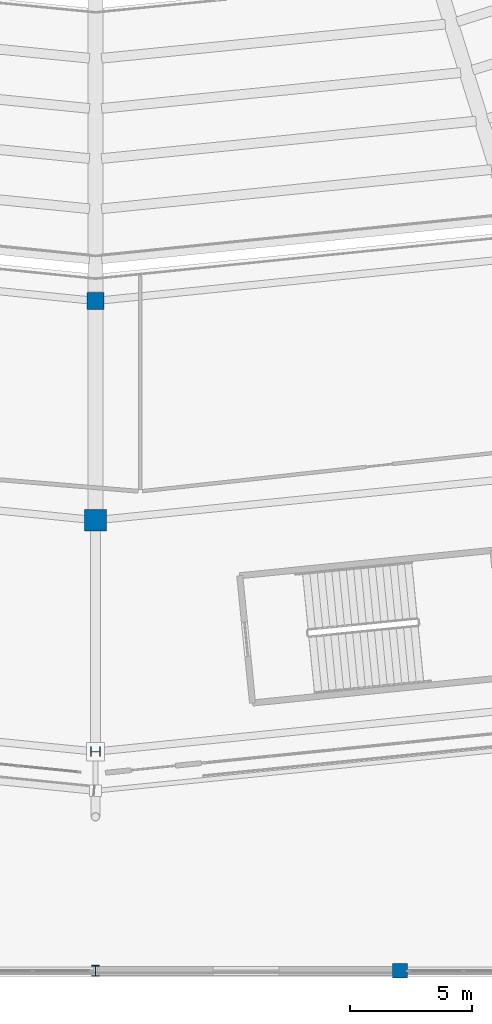
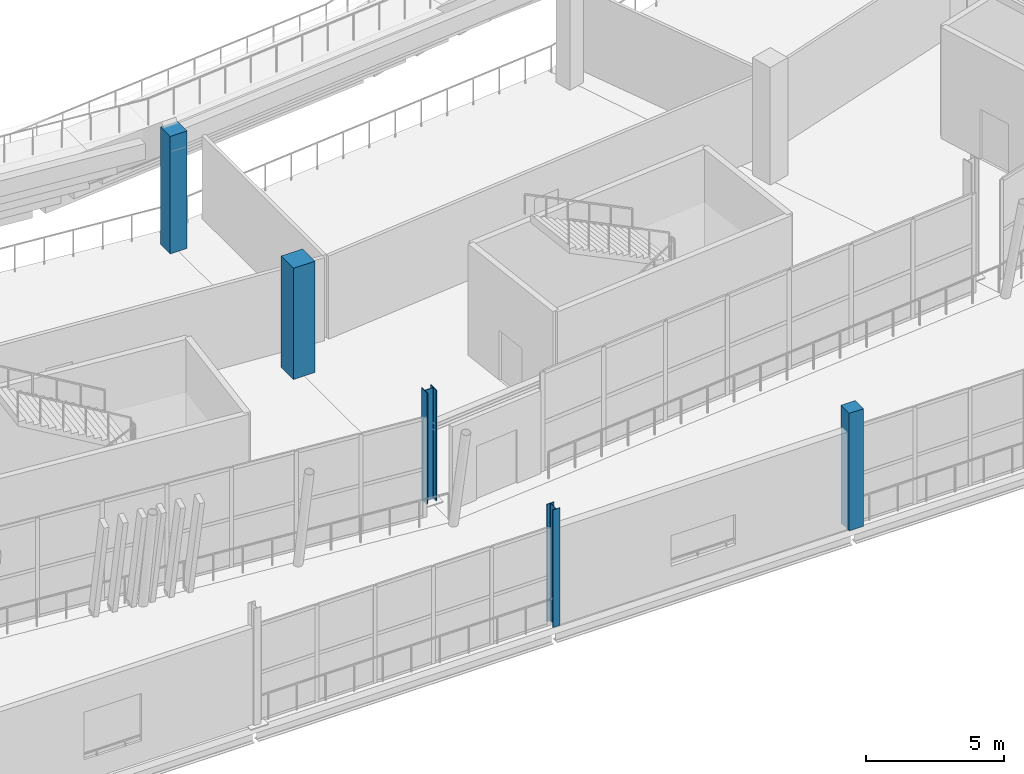
# One storey, part 5 of 178: 5 columns.
"""IFC4 building model written with IfcOpenShell, lengths in metres."""

from ifc_helpers import new_model, si_unit, direction, frame, origin, origin_2d, place, context, subcontext, project, spatial, rectangle, i_section, extrude, material, material_profile, profile_set, type_object, element, save


model = new_model("IFC4")

# Units and contexts
model_context = context("Model", 3, precision=1e-05, world=origin(), true_north=direction((0.0, 1.0)))
body_context = subcontext(model_context, "Body", "Model", "MODEL_VIEW")
ifc_project = project(units=[si_unit("LENGTHUNIT", "METRE"), si_unit("AREAUNIT", "SQUARE_METRE"), si_unit("VOLUMEUNIT", "CUBIC_METRE"), si_unit("PLANEANGLEUNIT", "RADIAN"), si_unit("MASSUNIT", "GRAM", prefix="KILO")], contexts=[model_context])

# Site, building, storey
site_placement = place(None, origin())
site = spatial("IfcSite", under=ifc_project, at=site_placement, CompositionType="ELEMENT")
building_placement = place(site_placement, origin())
building = spatial("IfcBuilding", under=site, at=building_placement, Name="Zlatoyarsky Gate Stadium", CompositionType="ELEMENT")
storey_placement = place(building_placement, frame((0.0, 0.0, 5.39990234375)))
storey = spatial("IfcBuildingStorey", under=building, at=storey_placement, Name="L01", CompositionType="ELEMENT", Elevation=5.39990234375)

# Columns
ifc_material_1 = material(Name="Concrete C40/50", Category="concrete")
ifc_material_profile_1 = material_profile(ifc_material_1, rectangle(XDim=0.60009765625, YDim=0.60009765625, at=origin_2d()), Name="RC COL 600X600")
ifc_profile_set_1 = profile_set([ifc_material_profile_1], Name="Concrete C40/50")
column_type_1 = type_object("IfcColumnType", Name="CONCRETE COLUMN 600X600", PredefinedType="COLUMN", material=ifc_profile_set_1)
column_1_placement = place(storey_placement, frame((123.5, 0.0, 0.0), z_axis=(0.0, 0.0, 1.0), x_axis=(1.0, 0.0, 0.0)))
element("IfcColumn", 1, at=column_1_placement, inside=storey, type_object=column_type_1, Name="Column RC-C60 WG-11-A on L01", PredefinedType="COLUMN", context=body_context, shape_type="SweptSolid", body=[
    extrude(rectangle(XDim=0.60009765625, YDim=0.60009765625, at=origin_2d()), origin(), (0.0, 0.0, 1.0), 5.2001953125),
])
ifc_material_profile_2 = material_profile(ifc_material_1, rectangle(XDim=0.699951171875, YDim=0.699951171875, at=origin_2d()), Name="RC COL 700X700")
ifc_profile_set_2 = profile_set([ifc_material_profile_2], Name="Concrete C40/50")
column_type_2 = type_object("IfcColumnType", Name="CONCRETE COLUMN 700X700", PredefinedType="COLUMN", material=ifc_profile_set_2)
column_2_placement = place(storey_placement, frame((111.0, 27.5, 0.0), z_axis=(0.0, 0.0, 1.0), x_axis=(0.0, -1.0, 0.0)))
element("IfcColumn", 2, at=column_2_placement, inside=storey, type_object=column_type_2, Name="Column RC-C70 RA-18 on L01", PredefinedType="COLUMN", context=body_context, shape_type="SweptSolid", body=[
    extrude(rectangle(XDim=0.699951171875, YDim=0.699951171875, at=origin_2d()), origin(), (0.0, 0.0, 1.0), 5.2001953125),
])
ifc_material_profile_3 = material_profile(ifc_material_1, rectangle(XDim=0.89990234375, YDim=0.89990234375, at=origin_2d()), Name="RC COL 900X900")
ifc_profile_set_3 = profile_set([ifc_material_profile_3], Name="Concrete C40/50")
column_type_3 = type_object("IfcColumnType", Name="CONCRETE COLUMN 900X900", PredefinedType="COLUMN", material=ifc_profile_set_3)
column_3_placement = place(storey_placement, frame((111.0, 18.5, 0.0), z_axis=(0.0, 0.0, 1.0), x_axis=(0.0, -1.0, 0.0)))
element("IfcColumn", 3, at=column_3_placement, inside=storey, type_object=column_type_3, Name="Column RC-C90 RB-18 on L01", PredefinedType="COLUMN", context=body_context, shape_type="SweptSolid", body=[
    extrude(rectangle(XDim=0.89990234375, YDim=0.89990234375, at=origin_2d()), origin(), (0.0, 0.0, 1.0), 4.920166015625),
])
ifc_material_2 = material(Name="Steel S355", Category="steel")
ifc_material_profile_4 = material_profile(ifc_material_2, i_section(OverallWidth=0.300048828125, OverallDepth=0.449951171875, WebThickness=0.013916015625, FlangeThickness=0.02587890625, FilletRadius=0.027099609375, at=origin_2d()), Name="HEB 450")
ifc_profile_set_4 = profile_set([ifc_material_profile_4], Name="Steel S355")
column_type_4 = type_object("IfcColumnType", Name="STEEL COLUMN HEB 450", PredefinedType="COLUMN", material=ifc_profile_set_4)
column_4_placement = place(storey_placement, frame((111.0, 0.0, 0.0), z_axis=(0.0, 0.0, 1.0), x_axis=(1.0, 0.0, 0.0)))
element("IfcColumn", 4, at=column_4_placement, inside=storey, type_object=column_type_4, Name="Column ST-C450 WG-10-A on L01", PredefinedType="COLUMN", context=body_context, shape_type="SweptSolid", body=[
    extrude(i_section(OverallWidth=0.300048828125, OverallDepth=0.449951171875, WebThickness=0.013916015625, FlangeThickness=0.02587890625, FilletRadius=0.027099609375, at=origin_2d()), origin(), (0.0, 0.0, 1.0), 5.2001953125),
])
ifc_material_profile_5 = material_profile(ifc_material_2, i_section(OverallWidth=0.406005859375, OverallDepth=0.416015625, WebThickness=0.02392578125, FlangeThickness=0.0390625, FilletRadius=0.014892578125, at=origin_2d()), Name="HD 400X382")
ifc_profile_set_5 = profile_set([ifc_material_profile_5], Name="Steel S355")
column_type_5 = type_object("IfcColumnType", Name="STEEL PORTAL PILASTER HD 400X382", PredefinedType="PILASTER", material=ifc_profile_set_5)
column_5_placement = place(storey_placement, frame((111.0, 9.0, 0.0), z_axis=(0.0, 0.0, 1.0), x_axis=(0.0, -1.0, 0.0)))
element("IfcColumn", 5, at=column_5_placement, inside=storey, type_object=column_type_5, Name="Column ST-CHD RC-18 on L01", PredefinedType="PILASTER", context=body_context, shape_type="SweptSolid", body=[
    extrude(i_section(OverallWidth=0.406005859375, OverallDepth=0.416015625, WebThickness=0.02392578125, FlangeThickness=0.0390625, FilletRadius=0.014892578125, at=origin_2d()), origin(), (0.0, 0.0, 1.0), 4.920166015625),
])

save(model, "model.ifc")
